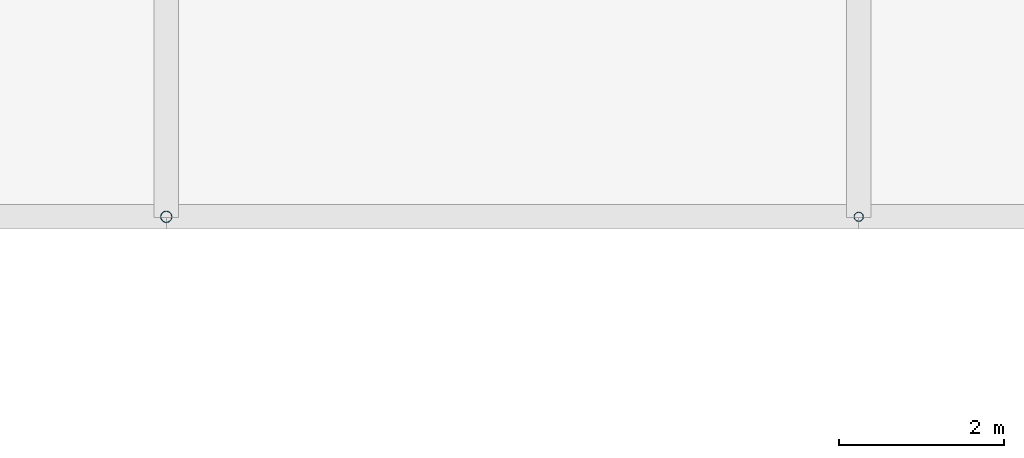
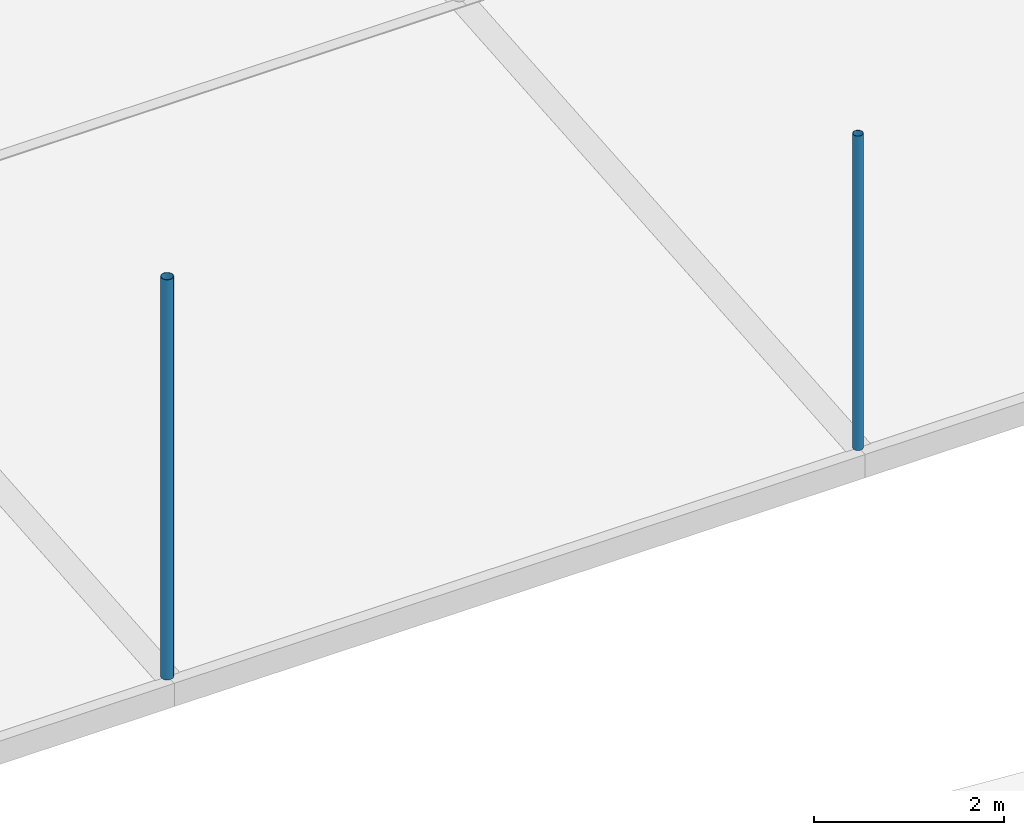
# One storey, part 7 of 37: 2 discrete accessories.
"""IFC4 building model written with IfcOpenShell, lengths in metres."""

import ifcopenshell
import ifcopenshell.guid

model = None  # the IFC model being written
_history = None  # IfcOwnerHistory: only IFC2X3 demands one
_inside = {}  # id of a spatial element -> (the spatial element, [elements in it])
_under = {}  # id of a project, library or spatial element -> (it, [spatial elements below it])
_declared = {}  # id of a project -> (the project, [libraries it declares])
_typed = {}  # id of a type object -> (the type object, [elements of that type])
_made_of = {}  # id of a material, layer set ... -> (it, [elements and type objects made of it])


def new_model(schema):
    """Start an empty IFC model of exactly this schema.

    Asked for "IFC4X3", IfcOpenShell would pick the latest addendum, in which some entities
    have other attributes; the version numbers below select the first issue.
    IFC2X3 requires an IfcOwnerHistory on every rooted entity: one is made here for all.
    """
    global model, _history
    if schema == "IFC4X3":
        model = ifcopenshell.file(schema_version=(4, 3, 0, 0))
    else:
        model = ifcopenshell.file(schema=schema)
    _inside.clear()
    _under.clear()
    _declared.clear()
    _typed.clear()
    _made_of.clear()
    _history = None
    if model.schema == "IFC2X3":
        org = make("IfcOrganization", Name="unknown")
        user = make(
            "IfcPersonAndOrganization",
            ThePerson=make("IfcPerson", FamilyName="unknown"),
            TheOrganization=org,
        )
        app = make(
            "IfcApplication",
            ApplicationDeveloper=org,
            Version="unknown",
            ApplicationFullName="unknown",
            ApplicationIdentifier="unknown",
        )
        _history = make(
            "IfcOwnerHistory",
            OwningUser=user,
            OwningApplication=app,
            ChangeAction="ADDED",
            CreationDate=0,
        )
    return model


def make(cls, **values):
    """One entity of the class cls with the attributes given. An attribute that is None is left unset."""
    return model.create_entity(
        cls, **{name: value for name, value in values.items() if value is not None}
    )


def rooted(cls, **values):
    """An entity with a GlobalId (a new one), such as an element, a storey or a relation."""
    return make(cls, GlobalId=ifcopenshell.guid.new(), OwnerHistory=_history, **values)


def si_unit(unit_type, name, prefix=None):
    """IfcSIUnit, for example si_unit("LENGTHUNIT", "METRE", prefix="MILLI")."""
    return make("IfcSIUnit", UnitType=unit_type, Prefix=prefix, Name=name)


def assignment(units):
    """IfcUnitAssignment: the units of a project."""
    return None if units is None else make("IfcUnitAssignment", Units=units)


def point(xyz):
    """IfcCartesianPoint."""
    return None if xyz is None else make("IfcCartesianPoint", Coordinates=xyz)


def direction(xyz):
    """IfcDirection."""
    return None if xyz is None else make("IfcDirection", DirectionRatios=xyz)


def frame(location, z_axis=None, x_axis=None):
    """IfcAxis2Placement3D, a coordinate frame: its origin and axes. An axis left out is left unset."""
    return make(
        "IfcAxis2Placement3D",
        Location=point(location),
        Axis=direction(z_axis),
        RefDirection=direction(x_axis),
    )


def frame_2d(location, x_axis=None):
    """IfcAxis2Placement2D, a coordinate frame in the plane: its origin and x axis."""
    return make(
        "IfcAxis2Placement2D", Location=point(location), RefDirection=direction(x_axis)
    )


def origin():
    """The frame at (0, 0, 0) with its axes left unset."""
    return frame((0.0, 0.0, 0.0))


def origin_2d():
    """The frame at (0, 0) in the plane with its x axis left unset."""
    return frame_2d((0.0, 0.0))


def place(relative_to, where):
    """IfcLocalPlacement: puts the frame where relative to a parent placement (None: the world)."""
    return make(
        "IfcLocalPlacement", PlacementRelTo=relative_to, RelativePlacement=where
    )


def context(
    kind, dimensions, precision=None, world=None, true_north=None, identifier=None
):
    """IfcGeometricRepresentationContext, for example the 3D "Model" context."""
    return make(
        "IfcGeometricRepresentationContext",
        ContextIdentifier=identifier,
        ContextType=kind,
        CoordinateSpaceDimension=dimensions,
        Precision=precision,
        WorldCoordinateSystem=world,
        TrueNorth=true_north,
    )


def subcontext(parent, identifier, kind, view, scale=None):
    """IfcGeometricRepresentationSubContext, for example "Body" below "Model"."""
    return make(
        "IfcGeometricRepresentationSubContext",
        ContextIdentifier=identifier,
        ContextType=kind,
        ParentContext=parent,
        TargetScale=scale,
        TargetView=view,
    )


def project(units=None, contexts=None):
    """IfcProject with its units and contexts."""
    return rooted(
        "IfcProject",
        Name="project",
        RepresentationContexts=contexts,
        UnitsInContext=assignment(units),
    )


def spatial(cls, under=None, at=None, **own):
    """A site, building, storey or space (cls), placed at a placement, below another one or the project."""
    s = rooted(cls, ObjectPlacement=at, **own)
    if under is not None:
        _under.setdefault(under.id(), (under, []))[1].append(s)
    return s


def profile(cls, at=None, kind="AREA", **sizes):
    """A parametric profile (cls). Its sizes go by their IFC names, for example OverallWidth=200.0."""
    return make(cls, ProfileType=kind, Position=at, **sizes)


def hollow_circle(**sizes):
    """IfcCircleHollowProfileDef."""
    return profile("IfcCircleHollowProfileDef", **sizes)


def extrude(swept, where, along, depth):
    """IfcExtrudedAreaSolid: the profile swept, set in the frame where, extruded along a direction by depth."""
    return make(
        "IfcExtrudedAreaSolid",
        SweptArea=swept,
        Position=where,
        ExtrudedDirection=direction(along),
        Depth=depth,
    )


def shape(context_of_items, identifier, shape_type, items):
    """IfcShapeRepresentation: the items that make up one representation, for example the "Body"."""
    return make(
        "IfcShapeRepresentation",
        ContextOfItems=context_of_items,
        RepresentationIdentifier=identifier,
        RepresentationType=shape_type,
        Items=items,
    )


def material(Name=None, Category=None):
    """IfcMaterial."""
    return make("IfcMaterial", Name=Name, Category=Category)


def material_profile(
    of_material, cross_section, Name=None, Category=None, Priority=None
):
    """IfcMaterialProfile: a cross section and its material."""
    return make(
        "IfcMaterialProfile",
        Name=Name,
        Material=of_material,
        Profile=cross_section,
        Priority=Priority,
        Category=Category,
    )


def profile_set(profiles, Name=None, composite=None):
    """IfcMaterialProfileSet."""
    return make(
        "IfcMaterialProfileSet",
        Name=Name,
        MaterialProfiles=profiles,
        CompositeProfile=composite,
    )


def made_of(thing, what):
    """Note that an element or type object is made of a material, layer set ...; save() writes the relation."""
    if what is not None:
        _made_of.setdefault(what.id(), (what, []))[1].append(thing)
    return thing


def type_object(cls, material=None, **own):
    """A type object (cls), such as IfcWallType, which elements share."""
    return made_of(rooted(cls, **own), material)


def element(
    cls,
    number,
    at=None,
    inside=None,
    cuts=None,
    type_object=None,
    material=None,
    context=None,
    identifier="Body",
    shape_type=None,
    held_by="IfcProductDefinitionShape",
    body=None,
    shapes=None,
    **own,
):
    """One element of the class cls, such as IfcWall. Its Tag is "e" and its number.

    at: its placement. inside: the storey or other place that contains it. cuts: it is an
    opening in that element (IfcRelVoidsElement). A single representation is given by context,
    identifier, shape_type and body (its items); several are given by shapes. held_by: the class
    of the entity that holds the representations. save() writes the other relations.
    """
    e = rooted(cls, Tag="e%d" % number, ObjectPlacement=at, **own)
    if body is not None:
        shapes = [shape(context, identifier, shape_type, body)]
    if shapes is not None:
        e.Representation = make(held_by, Representations=shapes)
    if inside is not None:
        _inside.setdefault(inside.id(), (inside, []))[1].append(e)
    if cuts is not None:
        rooted(
            "IfcRelVoidsElement", RelatingBuildingElement=cuts, RelatedOpeningElement=e
        )
    if type_object is not None:
        _typed.setdefault(type_object.id(), (type_object, []))[1].append(e)
    return made_of(e, material)


def aggregate(whole, parts):
    """IfcRelAggregates: a whole, such as a stair, and the parts it consists of."""
    return rooted("IfcRelAggregates", RelatingObject=whole, RelatedObjects=parts)


def save(model, path):
    """Write the relations noted so far, then the file.

    IfcRelAggregates (storeys below a building ...), IfcRelContainedInSpatialStructure (elements
    in a storey), IfcRelDefinesByType, IfcRelAssociatesMaterial and IfcRelDeclares: one each for
    every whole, place, type object, material and project.
    """
    for whole, parts in _under.values():
        aggregate(whole, parts)
    for where, things in _inside.values():
        rooted(
            "IfcRelContainedInSpatialStructure",
            RelatedElements=things,
            RelatingStructure=where,
        )
    for kind, things in _typed.values():
        rooted("IfcRelDefinesByType", RelatedObjects=things, RelatingType=kind)
    for what, things in _made_of.values():
        rooted("IfcRelAssociatesMaterial", RelatedObjects=things, RelatingMaterial=what)
    for by, libraries in _declared.values():
        rooted("IfcRelDeclares", RelatingContext=by, RelatedDefinitions=libraries)
    model.write(path)


model = new_model("IFC4")

# Units and contexts
model_context = context("Model", 3, precision=1e-05, world=origin(), true_north=direction((0.0, 1.0)))
body_context = subcontext(model_context, "Body", "Model", "MODEL_VIEW")
ifc_project = project(units=[si_unit("LENGTHUNIT", "METRE"), si_unit("AREAUNIT", "SQUARE_METRE"), si_unit("VOLUMEUNIT", "CUBIC_METRE"), si_unit("PLANEANGLEUNIT", "RADIAN"), si_unit("MASSUNIT", "GRAM", prefix="KILO")], contexts=[model_context])

# Site, building, storey
site_placement = place(None, origin())
site = spatial("IfcSite", under=ifc_project, at=site_placement, CompositionType="ELEMENT")
building_placement = place(site_placement, origin())
building = spatial("IfcBuilding", under=site, at=building_placement, Name="Rain Tree Exposition and Congress Centre", CompositionType="ELEMENT")
storey_placement = place(building_placement, frame((0.0, 0.0, 25.0)))
storey = spatial("IfcBuildingStorey", under=building, at=storey_placement, Name="ROOF VAULT LOW", CompositionType="ELEMENT", Elevation=25.0)

# Discrete accessories
ifc_material_1 = material(Name="Steel S355J2H", Category="steel")
ifc_material_profile_1 = material_profile(ifc_material_1, hollow_circle(Radius=0.05712890625, WallThickness=0.00439453125, at=origin_2d()), Name="CHS 114x4.5")
ifc_profile_set_1 = profile_set([ifc_material_profile_1], Name="Steel S355J2H")
discrete_accessory_type_1 = type_object("IfcDiscreteAccessoryType", Name="Roof skin post CHS 114x4.5", PredefinedType="BRACKET", material=ifc_profile_set_1)
discrete_accessory_1_placement = place(storey_placement, frame((50.39990234375, 134.39990234375, 0.4892578125), z_axis=(0.0, 0.0, 1.0), x_axis=(1.0, 0.0, 0.0)))
element("IfcDiscreteAccessory", 1, at=discrete_accessory_1_placement, inside=storey, type_object=discrete_accessory_type_1, Name="Roof skin post A66", PredefinedType="BRACKET", context=body_context, shape_type="SweptSolid", body=[
    extrude(hollow_circle(Radius=0.05712890625, WallThickness=0.00439453125, at=origin_2d()), origin(), (0.0, 0.0, 1.0), 4.041259765625),
])
ifc_material_2 = material(Name="Steel S355J2H", Category="steel")
ifc_material_profile_2 = material_profile(ifc_material_2, hollow_circle(Radius=0.06982421875, WallThickness=0.0048828125, at=origin_2d()), Name="CHS 140x5")
ifc_profile_set_2 = profile_set([ifc_material_profile_2], Name="Steel S355J2H")
discrete_accessory_type_2 = type_object("IfcDiscreteAccessoryType", Name="Roof skin post CHS 140x5", PredefinedType="BRACKET", material=ifc_profile_set_2)
discrete_accessory_2_placement = place(storey_placement, frame((42.0, 134.39990234375, 0.4892578125), z_axis=(0.0, 0.0, 1.0), x_axis=(1.0, 0.0, 0.0)))
element("IfcDiscreteAccessory", 2, at=discrete_accessory_2_placement, inside=storey, type_object=discrete_accessory_type_2, Name="Roof skin post A65", PredefinedType="BRACKET", context=body_context, shape_type="SweptSolid", body=[
    extrude(hollow_circle(Radius=0.06982421875, WallThickness=0.0048828125, at=origin_2d()), origin(), (0.0, 0.0, 1.0), 5.143798828125),
])

save(model, "model.ifc")
